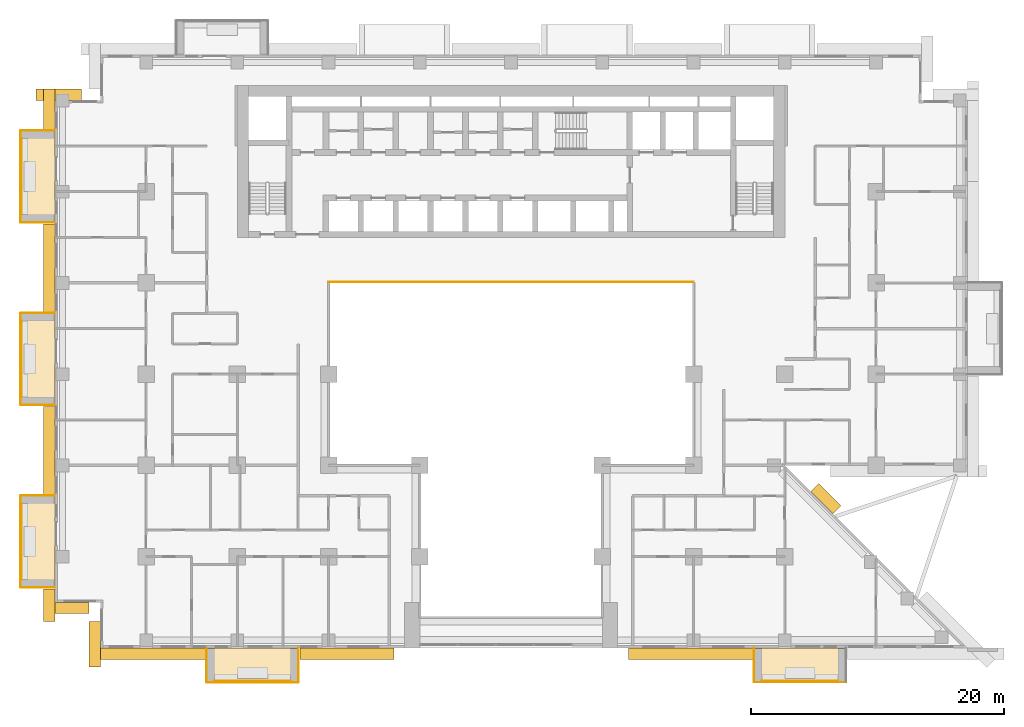
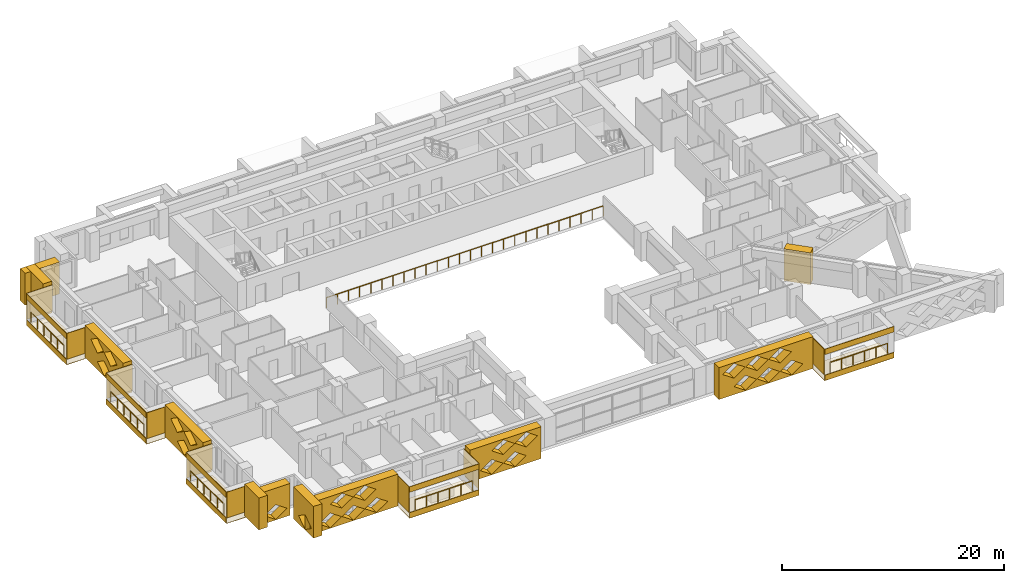
# One storey, part 14 of 17: 35 coverings, 6 railings.
"""IFC4 building model written with IfcOpenShell, lengths in metres."""

from ifc_helpers import new_model, si_unit, direction, frame, origin, origin_2d, place, context, subcontext, project, spatial, polyline, circle, outline, extrude, material, layer, layer_set, type_object, element, save


model = new_model("IFC4")

# Units and contexts
model_context = context("Model", 3, precision=1e-05, world=origin(), true_north=direction((0.0, 1.0)))
body_context = subcontext(model_context, "Body", "Model", "MODEL_VIEW")
ifc_project = project(units=[si_unit("LENGTHUNIT", "METRE"), si_unit("AREAUNIT", "SQUARE_METRE"), si_unit("VOLUMEUNIT", "CUBIC_METRE"), si_unit("PLANEANGLEUNIT", "RADIAN"), si_unit("MASSUNIT", "GRAM", prefix="KILO")], contexts=[model_context])

# Site, building, storey
site_placement = place(None, origin())
site = spatial("IfcSite", under=ifc_project, at=site_placement, CompositionType="ELEMENT")
building_placement = place(site_placement, origin())
building = spatial("IfcBuilding", under=site, at=building_placement, Name="Saffron Iwan Residences", CompositionType="ELEMENT")
storey_placement = place(building_placement, frame((0.0, 0.0, 86.5)))
storey = spatial("IfcBuildingStorey", under=building, at=storey_placement, Name="L22", CompositionType="ELEMENT", Elevation=86.5)

# Railings
ifc_material_1 = material(Name="Stainless steel 316", Category="steel")
railing_type_1 = type_object("IfcRailingType", Name="Atrium guard 1150", PredefinedType="GUARDRAIL", material=ifc_material_1)
railing_placement = place(storey_placement, frame((36.0, 62.47509765625, 0.0)))
element("IfcRailing", 1, at=railing_placement, inside=storey, type_object=railing_type_1, Name="Atrium guard L22", PredefinedType="GUARDRAIL", context=body_context, shape_type="SweptSolid", body=[
    extrude(circle(Radius=0.02392578125, at=origin_2d()), frame((0.0, 0.0, 1.1259765625), z_axis=(1.0, 0.0, 0.0), x_axis=(0.0, 1.0, 0.0)), (0.0, 0.0, 1.0), 28.800048828125),
    extrude(circle(Radius=0.02099609375, at=origin_2d()), origin(), (0.0, 0.0, 1.0), 1.101806640625),
    extrude(circle(Radius=0.02099609375, at=origin_2d()), frame((1.152099609375, 0.0, 0.0)), (0.0, 0.0, 1.0), 1.101806640625),
    extrude(circle(Radius=0.02099609375, at=origin_2d()), frame((2.303955078125, 0.0, 0.0)), (0.0, 0.0, 1.0), 1.101806640625),
    extrude(circle(Radius=0.02099609375, at=origin_2d()), frame((3.4560546875, 0.0, 0.0)), (0.0, 0.0, 1.0), 1.101806640625),
    extrude(circle(Radius=0.02099609375, at=origin_2d()), frame((4.60791015625, 0.0, 0.0)), (0.0, 0.0, 1.0), 1.101806640625),
    extrude(circle(Radius=0.02099609375, at=origin_2d()), frame((5.760009765625, 0.0, 0.0)), (0.0, 0.0, 1.0), 1.101806640625),
    extrude(circle(Radius=0.02099609375, at=origin_2d()), frame((6.912109375, 0.0, 0.0)), (0.0, 0.0, 1.0), 1.101806640625),
    extrude(circle(Radius=0.02099609375, at=origin_2d()), frame((8.06396484375, 0.0, 0.0)), (0.0, 0.0, 1.0), 1.101806640625),
    extrude(circle(Radius=0.02099609375, at=origin_2d()), frame((9.216064453125, 0.0, 0.0)), (0.0, 0.0, 1.0), 1.101806640625),
    extrude(circle(Radius=0.02099609375, at=origin_2d()), frame((10.367919921875, 0.0, 0.0)), (0.0, 0.0, 1.0), 1.101806640625),
    extrude(circle(Radius=0.02099609375, at=origin_2d()), frame((11.52001953125, 0.0, 0.0)), (0.0, 0.0, 1.0), 1.101806640625),
    extrude(circle(Radius=0.02099609375, at=origin_2d()), frame((12.672119140625, 0.0, 0.0)), (0.0, 0.0, 1.0), 1.101806640625),
    extrude(circle(Radius=0.02099609375, at=origin_2d()), frame((13.823974609375, 0.0, 0.0)), (0.0, 0.0, 1.0), 1.101806640625),
    extrude(circle(Radius=0.02099609375, at=origin_2d()), frame((14.97607421875, 0.0, 0.0)), (0.0, 0.0, 1.0), 1.101806640625),
    extrude(circle(Radius=0.02099609375, at=origin_2d()), frame((16.1279296875, 0.0, 0.0)), (0.0, 0.0, 1.0), 1.101806640625),
    extrude(circle(Radius=0.02099609375, at=origin_2d()), frame((17.280029296875, 0.0, 0.0)), (0.0, 0.0, 1.0), 1.101806640625),
    extrude(circle(Radius=0.02099609375, at=origin_2d()), frame((18.43212890625, 0.0, 0.0)), (0.0, 0.0, 1.0), 1.101806640625),
    extrude(circle(Radius=0.02099609375, at=origin_2d()), frame((19.583984375, 0.0, 0.0)), (0.0, 0.0, 1.0), 1.101806640625),
    extrude(circle(Radius=0.02099609375, at=origin_2d()), frame((20.736083984375, 0.0, 0.0)), (0.0, 0.0, 1.0), 1.101806640625),
    extrude(circle(Radius=0.02099609375, at=origin_2d()), frame((21.887939453125, 0.0, 0.0)), (0.0, 0.0, 1.0), 1.101806640625),
    extrude(circle(Radius=0.02099609375, at=origin_2d()), frame((23.0400390625, 0.0, 0.0)), (0.0, 0.0, 1.0), 1.101806640625),
    extrude(circle(Radius=0.02099609375, at=origin_2d()), frame((24.192138671875, 0.0, 0.0)), (0.0, 0.0, 1.0), 1.101806640625),
    extrude(circle(Radius=0.02099609375, at=origin_2d()), frame((25.343994140625, 0.0, 0.0)), (0.0, 0.0, 1.0), 1.101806640625),
    extrude(circle(Radius=0.02099609375, at=origin_2d()), frame((26.49609375, 0.0, 0.0)), (0.0, 0.0, 1.0), 1.101806640625),
    extrude(circle(Radius=0.02099609375, at=origin_2d()), frame((27.64794921875, 0.0, 0.0)), (0.0, 0.0, 1.0), 1.101806640625),
    extrude(circle(Radius=0.02099609375, at=origin_2d()), frame((28.800048828125, 0.0, 0.0)), (0.0, 0.0, 1.0), 1.101806640625),
])
railing_type_2 = type_object("IfcRailingType", Name="BALCONY GUARD 1150", PredefinedType="GUARDRAIL", material=ifc_material_1)
for number, where, name in (
    (2, (11.77490234375, 73.800048828125, 0.0), "Balcony guard L22 F8-0"),
    (3, (11.77490234375, 59.39990234375, 0.0), "Balcony guard L22 F8-1"),
    (4, (11.77490234375, 45.0, 0.0), "Balcony guard L22 F8-2"),
):
    element("IfcRailing", number, at=place(storey_placement, frame(where)), inside=storey, type_object=railing_type_2, Name=name, PredefinedType="GUARDRAIL", context=body_context, shape_type="SweptSolid", body=[
        extrude(circle(Radius=0.02392578125, at=origin_2d()), frame((0.0, 0.0, 1.1259765625), z_axis=(0.0, -1.0, 0.0), x_axis=(1.0, 0.0, 0.0)), (0.0, 0.0, 1.0), 6.0),
        extrude(circle(Radius=0.02099609375, at=origin_2d()), origin(), (0.0, 0.0, 1.0), 1.101806640625),
        extrude(circle(Radius=0.02099609375, at=origin_2d()), frame((0.0, -1.199951171875, 0.0)), (0.0, 0.0, 1.0), 1.101806640625),
        extrude(circle(Radius=0.02099609375, at=origin_2d()), frame((0.0, -2.39990234375, 0.0)), (0.0, 0.0, 1.0), 1.101806640625),
        extrude(circle(Radius=0.02099609375, at=origin_2d()), frame((0.0, -3.60009765625, 0.0)), (0.0, 0.0, 1.0), 1.101806640625),
        extrude(circle(Radius=0.02099609375, at=origin_2d()), frame((0.0, -4.800048828125, 0.0)), (0.0, 0.0, 1.0), 1.101806640625),
        extrude(circle(Radius=0.02099609375, at=origin_2d()), frame((0.0, -6.0, 0.0)), (0.0, 0.0, 1.0), 1.101806640625),
    ])
for number, where, name in (
    (5, (27.0, 30.97509765625, 0.0), "Balcony guard L22 11-0"),
    (6, (70.199951171875, 30.97509765625, 0.0), "Balcony guard L22 11-1"),
):
    element("IfcRailing", number, at=place(storey_placement, frame(where)), inside=storey, type_object=railing_type_2, Name=name, PredefinedType="GUARDRAIL", context=body_context, shape_type="SweptSolid", body=[
        extrude(circle(Radius=0.02392578125, at=origin_2d()), frame((0.0, 0.0, 1.1259765625), z_axis=(1.0, 0.0, 0.0), x_axis=(0.0, 1.0, 0.0)), (0.0, 0.0, 1.0), 6.0),
        extrude(circle(Radius=0.02099609375, at=origin_2d()), origin(), (0.0, 0.0, 1.0), 1.101806640625),
        extrude(circle(Radius=0.02099609375, at=origin_2d()), frame((1.199951171875, 0.0, 0.0)), (0.0, 0.0, 1.0), 1.101806640625),
        extrude(circle(Radius=0.02099609375, at=origin_2d()), frame((2.39990234375, 0.0, 0.0)), (0.0, 0.0, 1.0), 1.101806640625),
        extrude(circle(Radius=0.02099609375, at=origin_2d()), frame((3.60009765625, 0.0, 0.0)), (0.0, 0.0, 1.0), 1.101806640625),
        extrude(circle(Radius=0.02099609375, at=origin_2d()), frame((4.800048828125, 0.0, 0.0)), (0.0, 0.0, 1.0), 1.101806640625),
        extrude(circle(Radius=0.02099609375, at=origin_2d()), frame((6.0, 0.0, 0.0)), (0.0, 0.0, 1.0), 1.101806640625),
    ])

# Coverings
ifc_material_2 = material(Name="Precast concrete C40/50 white painted", Category="concrete")
ifc_layer = layer(ifc_material_2, 0.050048828125)
ifc_layer_set = layer_set([ifc_layer], Name="Precast concrete C40/50 white painted")
covering_type_1 = type_object("IfcCoveringType", Name="FRAME SKIN PRECAST WHITE 50", PredefinedType="CLADDING", material=ifc_layer_set)
for number, where, name in (
    (7, (0.0, 0.0, -0.60009765625), "Frame skin slab edge L22 F8-0"),
    (8, (0.0, 0.0, 2.25), "Frame skin fascia L22 F8-0"),
):
    element("IfcCovering", number, at=place(storey_placement, frame(where)), inside=storey, type_object=covering_type_1, Name=name, PredefinedType="CLADDING", context=body_context, shape_type="SweptSolid", body=[
        extrude(outline(polyline([(11.64990234375, 74.39990234375), (11.64990234375, 67.199951171875), (11.699951171875, 67.199951171875), (11.699951171875, 74.39990234375), (11.64990234375, 74.39990234375)])), origin(), (0.0, 0.0, 1.0), 0.60009765625),
    ])
covering_1_placement = place(storey_placement, frame((0.0, 0.0, -0.64990234375)))
element("IfcCovering", 9, at=covering_1_placement, inside=storey, type_object=covering_type_1, Name="Frame skin soffit L22 F8-0", PredefinedType="CLADDING", context=body_context, shape_type="SweptSolid", body=[
    extrude(outline(polyline([(11.699951171875, 74.39990234375), (11.699951171875, 67.199951171875), (14.39990234375, 67.199951171875), (14.39990234375, 74.39990234375), (11.699951171875, 74.39990234375)])), origin(), (0.0, 0.0, 1.0), 0.0498046875),
])
covering_2_placement = place(storey_placement, origin())
element("IfcCovering", 10, at=covering_2_placement, inside=storey, type_object=covering_type_1, Name="Frame skin fin L22 F8-0a", PredefinedType="CLADDING", context=body_context, shape_type="SweptSolid", body=[
    extrude(outline(polyline([(11.699951171875, 74.449951171875), (11.699951171875, 74.39990234375), (14.39990234375, 74.39990234375), (14.39990234375, 74.449951171875), (11.699951171875, 74.449951171875)])), origin(), (0.0, 0.0, 1.0), 2.85009765625),
])
covering_3_placement = place(storey_placement, origin())
element("IfcCovering", 11, at=covering_3_placement, inside=storey, type_object=covering_type_1, Name="Frame skin fin L22 F8-0b", PredefinedType="CLADDING", context=body_context, shape_type="SweptSolid", body=[
    extrude(outline(polyline([(11.699951171875, 67.199951171875), (11.699951171875, 67.14990234375), (14.39990234375, 67.14990234375), (14.39990234375, 67.199951171875), (11.699951171875, 67.199951171875)])), origin(), (0.0, 0.0, 1.0), 2.85009765625),
])
for number, where, name in (
    (12, (0.0, 0.0, -0.60009765625), "Frame skin slab edge L22 F8-1"),
    (13, (0.0, 0.0, 2.25), "Frame skin fascia L22 F8-1"),
):
    element("IfcCovering", number, at=place(storey_placement, frame(where)), inside=storey, type_object=covering_type_1, Name=name, PredefinedType="CLADDING", context=body_context, shape_type="SweptSolid", body=[
        extrude(outline(polyline([(11.64990234375, 60.0), (11.64990234375, 52.800048828125), (11.699951171875, 52.800048828125), (11.699951171875, 60.0), (11.64990234375, 60.0)])), origin(), (0.0, 0.0, 1.0), 0.60009765625),
    ])
covering_4_placement = place(storey_placement, frame((0.0, 0.0, -0.64990234375)))
element("IfcCovering", 14, at=covering_4_placement, inside=storey, type_object=covering_type_1, Name="Frame skin soffit L22 F8-1", PredefinedType="CLADDING", context=body_context, shape_type="SweptSolid", body=[
    extrude(outline(polyline([(11.699951171875, 60.0), (11.699951171875, 52.800048828125), (14.39990234375, 52.800048828125), (14.39990234375, 60.0), (11.699951171875, 60.0)])), origin(), (0.0, 0.0, 1.0), 0.0498046875),
])
covering_5_placement = place(storey_placement, origin())
element("IfcCovering", 15, at=covering_5_placement, inside=storey, type_object=covering_type_1, Name="Frame skin fin L22 F8-1a", PredefinedType="CLADDING", context=body_context, shape_type="SweptSolid", body=[
    extrude(outline(polyline([(11.699951171875, 60.050048828125), (11.699951171875, 60.0), (14.39990234375, 60.0), (14.39990234375, 60.050048828125), (11.699951171875, 60.050048828125)])), origin(), (0.0, 0.0, 1.0), 2.85009765625),
])
covering_6_placement = place(storey_placement, origin())
element("IfcCovering", 16, at=covering_6_placement, inside=storey, type_object=covering_type_1, Name="Frame skin fin L22 F8-1b", PredefinedType="CLADDING", context=body_context, shape_type="SweptSolid", body=[
    extrude(outline(polyline([(11.699951171875, 52.800048828125), (11.699951171875, 52.75), (14.39990234375, 52.75), (14.39990234375, 52.800048828125), (11.699951171875, 52.800048828125)])), origin(), (0.0, 0.0, 1.0), 2.85009765625),
])
for number, where, name in (
    (17, (0.0, 0.0, -0.60009765625), "Frame skin slab edge L22 F8-2"),
    (18, (0.0, 0.0, 2.25), "Frame skin fascia L22 F8-2"),
):
    element("IfcCovering", number, at=place(storey_placement, frame(where)), inside=storey, type_object=covering_type_1, Name=name, PredefinedType="CLADDING", context=body_context, shape_type="SweptSolid", body=[
        extrude(outline(polyline([(11.64990234375, 45.60009765625), (11.64990234375, 38.39990234375), (11.699951171875, 38.39990234375), (11.699951171875, 45.60009765625), (11.64990234375, 45.60009765625)])), origin(), (0.0, 0.0, 1.0), 0.60009765625),
    ])
covering_7_placement = place(storey_placement, frame((0.0, 0.0, -0.64990234375)))
element("IfcCovering", 19, at=covering_7_placement, inside=storey, type_object=covering_type_1, Name="Frame skin soffit L22 F8-2", PredefinedType="CLADDING", context=body_context, shape_type="SweptSolid", body=[
    extrude(outline(polyline([(11.699951171875, 45.60009765625), (11.699951171875, 38.39990234375), (14.39990234375, 38.39990234375), (14.39990234375, 45.60009765625), (11.699951171875, 45.60009765625)])), origin(), (0.0, 0.0, 1.0), 0.0498046875),
])
covering_8_placement = place(storey_placement, origin())
element("IfcCovering", 20, at=covering_8_placement, inside=storey, type_object=covering_type_1, Name="Frame skin fin L22 F8-2a", PredefinedType="CLADDING", context=body_context, shape_type="SweptSolid", body=[
    extrude(outline(polyline([(11.699951171875, 45.64990234375), (11.699951171875, 45.60009765625), (14.39990234375, 45.60009765625), (14.39990234375, 45.64990234375), (11.699951171875, 45.64990234375)])), origin(), (0.0, 0.0, 1.0), 2.85009765625),
])
covering_9_placement = place(storey_placement, origin())
element("IfcCovering", 21, at=covering_9_placement, inside=storey, type_object=covering_type_1, Name="Frame skin fin L22 F8-2b", PredefinedType="CLADDING", context=body_context, shape_type="SweptSolid", body=[
    extrude(outline(polyline([(11.699951171875, 38.39990234375), (11.699951171875, 38.35009765625), (14.39990234375, 38.35009765625), (14.39990234375, 38.39990234375), (11.699951171875, 38.39990234375)])), origin(), (0.0, 0.0, 1.0), 2.85009765625),
])
for number, where, name in (
    (22, (0.0, 0.0, -0.60009765625), "Frame skin slab edge L22 11-0"),
    (23, (0.0, 0.0, 2.25), "Frame skin fascia L22 11-0"),
):
    element("IfcCovering", number, at=place(storey_placement, frame(where)), inside=storey, type_object=covering_type_1, Name=name, PredefinedType="CLADDING", context=body_context, shape_type="SweptSolid", body=[
        extrude(outline(polyline([(26.39990234375, 30.85009765625), (33.60009765625, 30.85009765625), (33.60009765625, 30.89990234375), (26.39990234375, 30.89990234375), (26.39990234375, 30.85009765625)])), origin(), (0.0, 0.0, 1.0), 0.60009765625),
    ])
covering_10_placement = place(storey_placement, frame((0.0, 0.0, -0.64990234375)))
element("IfcCovering", 24, at=covering_10_placement, inside=storey, type_object=covering_type_1, Name="Frame skin soffit L22 11-0", PredefinedType="CLADDING", context=body_context, shape_type="SweptSolid", body=[
    extrude(outline(polyline([(26.39990234375, 30.89990234375), (33.60009765625, 30.89990234375), (33.60009765625, 33.60009765625), (26.39990234375, 33.60009765625), (26.39990234375, 30.89990234375)])), origin(), (0.0, 0.0, 1.0), 0.0498046875),
])
covering_11_placement = place(storey_placement, origin())
element("IfcCovering", 25, at=covering_11_placement, inside=storey, type_object=covering_type_1, Name="Frame skin fin L22 11-0a", PredefinedType="CLADDING", context=body_context, shape_type="SweptSolid", body=[
    extrude(outline(polyline([(26.35009765625, 30.89990234375), (26.39990234375, 30.89990234375), (26.39990234375, 33.60009765625), (26.35009765625, 33.60009765625), (26.35009765625, 30.89990234375)])), origin(), (0.0, 0.0, 1.0), 2.85009765625),
])
covering_12_placement = place(storey_placement, origin())
element("IfcCovering", 26, at=covering_12_placement, inside=storey, type_object=covering_type_1, Name="Frame skin fin L22 11-0b", PredefinedType="CLADDING", context=body_context, shape_type="SweptSolid", body=[
    extrude(outline(polyline([(33.60009765625, 30.89990234375), (33.64990234375, 30.89990234375), (33.64990234375, 33.60009765625), (33.60009765625, 33.60009765625), (33.60009765625, 30.89990234375)])), origin(), (0.0, 0.0, 1.0), 2.85009765625),
])
for number, where, name in (
    (27, (0.0, 0.0, -0.60009765625), "Frame skin slab edge L22 11-1"),
    (28, (0.0, 0.0, 2.25), "Frame skin fascia L22 11-1"),
):
    element("IfcCovering", number, at=place(storey_placement, frame(where)), inside=storey, type_object=covering_type_1, Name=name, PredefinedType="CLADDING", context=body_context, shape_type="SweptSolid", body=[
        extrude(outline(polyline([(69.60009765625, 30.85009765625), (76.800048828125, 30.85009765625), (76.800048828125, 30.89990234375), (69.60009765625, 30.89990234375), (69.60009765625, 30.85009765625)])), origin(), (0.0, 0.0, 1.0), 0.60009765625),
    ])
covering_13_placement = place(storey_placement, frame((0.0, 0.0, -0.64990234375)))
element("IfcCovering", 29, at=covering_13_placement, inside=storey, type_object=covering_type_1, Name="Frame skin soffit L22 11-1", PredefinedType="CLADDING", context=body_context, shape_type="SweptSolid", body=[
    extrude(outline(polyline([(69.60009765625, 30.89990234375), (76.800048828125, 30.89990234375), (76.800048828125, 33.60009765625), (69.60009765625, 33.60009765625), (69.60009765625, 30.89990234375)])), origin(), (0.0, 0.0, 1.0), 0.0498046875),
])
covering_14_placement = place(storey_placement, origin())
element("IfcCovering", 30, at=covering_14_placement, inside=storey, type_object=covering_type_1, Name="Frame skin fin L22 11-1a", PredefinedType="CLADDING", context=body_context, shape_type="SweptSolid", body=[
    extrude(outline(polyline([(69.550048828125, 30.89990234375), (69.60009765625, 30.89990234375), (69.60009765625, 33.60009765625), (69.550048828125, 33.60009765625), (69.550048828125, 30.89990234375)])), origin(), (0.0, 0.0, 1.0), 2.85009765625),
])
ifc_material_3 = material(Name="Precast concrete C40/50", Category="concrete")
covering_type_2 = type_object("IfcCoveringType", Name="OUTER SKIN LATTICE SCREEN", PredefinedType="CLADDING", material=ifc_material_3)
covering_15_placement = place(storey_placement, frame((75.805908203125, 44.194091796875, -0.320068359375), z_axis=(0.707106781187, 0.707106781187, 0.0), x_axis=(-0.707106781187, 0.707106781187, 0.0)))
element("IfcCovering", 31, at=covering_15_placement, inside=storey, type_object=covering_type_2, Name="OUTER SKIN lattice screen L22 F0.1", PredefinedType="CLADDING", context=body_context, shape_type="SweptSolid", body=[
    extrude(outline(polyline([(0.0, 0.0), (2.4853515625, 0.0), (2.4853515625, 3.5), (0.0, 3.5), (0.0, 0.0)])), origin(), (0.0, 0.0, 1.0), 0.900146484375),
])
covering_16_placement = place(storey_placement, frame((16.5, 76.800048828125, -0.320068359375), z_axis=(0.0, 1.0, 0.0), x_axis=(-1.0, 0.0, 0.0)))
element("IfcCovering", 32, at=covering_16_placement, inside=storey, type_object=covering_type_2, Name="OUTER SKIN lattice screen L22 F7.0", PredefinedType="CLADDING", context=body_context, shape_type="SweptSolid", body=[
    extrude(outline(polyline([(0.0, 0.0), (3.60009765625, 0.0), (3.60009765625, 3.5), (0.0, 3.5), (0.0, 0.0)]), holes=[polyline([(0.919921875, 0.875), (2.10009765625, 0.06005859375), (3.280029296875, 0.875), (2.10009765625, 1.68994140625), (0.919921875, 0.875)])]), origin(), (0.0, 0.0, 1.0), 0.89990234375),
])
covering_17_placement = place(storey_placement, frame((14.39990234375, 77.699951171875, -0.320068359375), z_axis=(-1.0, 0.0, 0.0), x_axis=(0.0, -1.0, 0.0)))
element("IfcCovering", 33, at=covering_17_placement, inside=storey, type_object=covering_type_2, Name="OUTER SKIN lattice screen L22 F8.0", PredefinedType="CLADDING", context=body_context, shape_type="SweptSolid", body=[
    extrude(outline(polyline([(0.0, 0.0), (3.14990234375, 0.0), (3.14990234375, 3.5), (0.0, 3.5), (0.0, 0.0)])), origin(), (0.0, 0.0, 1.0), 0.89990234375),
])
for number, where, z_axis, x_axis, name in (
    (34, (14.39990234375, 67.050048828125, -0.320068359375), (-1.0, 0.0, 0.0), (0.0, -1.0, 0.0), "OUTER SKIN lattice screen L22 F8.1"),
    (35, (14.39990234375, 52.64990234375, -0.320068359375), (-1.0, 0.0, 0.0), (0.0, -1.0, 0.0), "OUTER SKIN lattice screen L22 F8.2"),
):
    element("IfcCovering", number, at=place(storey_placement, frame(where, z_axis=z_axis, x_axis=x_axis)), inside=storey, type_object=covering_type_2, Name=name, PredefinedType="CLADDING", context=body_context, shape_type="SweptSolid", body=[
        extrude(outline(polyline([(0.0, 0.0), (6.89990234375, 0.0), (6.89990234375, 3.5), (0.0, 3.5), (0.0, 0.0)]), holes=[polyline([(2.27001953125, 0.875), (3.449951171875, 0.06005859375), (4.6298828125, 0.875), (3.449951171875, 1.68994140625), (2.27001953125, 0.875)]), polyline([(1.070068359375, 2.625), (2.25, 1.81005859375), (3.429931640625, 2.625), (2.25, 3.43994140625), (1.070068359375, 2.625)]), polyline([(3.469970703125, 2.625), (4.64990234375, 1.81005859375), (5.830078125, 2.625), (4.64990234375, 3.43994140625), (3.469970703125, 2.625)])]), origin(), (0.0, 0.0, 1.0), 0.89990234375),
    ])
covering_18_placement = place(storey_placement, frame((14.39990234375, 38.25, -0.320068359375), z_axis=(-1.0, 0.0, 0.0), x_axis=(0.0, -1.0, 0.0)))
element("IfcCovering", 36, at=covering_18_placement, inside=storey, type_object=covering_type_2, Name="OUTER SKIN lattice screen L22 F8.3", PredefinedType="CLADDING", context=body_context, shape_type="SweptSolid", body=[
    extrude(outline(polyline([(0.0, 0.0), (2.550048828125, 0.0), (2.550048828125, 3.5), (0.0, 3.5), (0.0, 0.0)])), origin(), (0.0, 0.0, 1.0), 0.89990234375),
])
for number, where, z_axis, x_axis, name in (
    (37, (13.5, 37.199951171875, -0.320068359375), (0.0, -1.0, 0.0), (1.0, 0.0, 0.0), "OUTER SKIN lattice screen L22 F9.0"),
    (38, (18.0, 35.699951171875, -0.320068359375), (-1.0, 0.0, 0.0), (0.0, -1.0, 0.0), "OUTER SKIN lattice screen L22 F10.0"),
):
    element("IfcCovering", number, at=place(storey_placement, frame(where, z_axis=z_axis, x_axis=x_axis)), inside=storey, type_object=covering_type_2, Name=name, PredefinedType="CLADDING", context=body_context, shape_type="SweptSolid", body=[
        extrude(outline(polyline([(0.0, 0.0), (3.60009765625, 0.0), (3.60009765625, 3.5), (0.0, 3.5), (0.0, 0.0)]), holes=[polyline([(0.919921875, 0.875), (2.10009765625, 0.06005859375), (3.280029296875, 0.875), (2.10009765625, 1.68994140625), (0.919921875, 0.875)])]), origin(), (0.0, 0.0, 1.0), 0.89990234375),
    ])
covering_19_placement = place(storey_placement, frame((17.10009765625, 33.60009765625, -0.320068359375), z_axis=(0.0, -1.0, 0.0), x_axis=(1.0, 0.0, 0.0)))
element("IfcCovering", 39, at=covering_19_placement, inside=storey, type_object=covering_type_2, Name="OUTER SKIN lattice screen L22 F11.0", PredefinedType="CLADDING", context=body_context, shape_type="SweptSolid", body=[
    extrude(outline(polyline([(0.0, 0.0), (9.14990234375, 0.0), (9.14990234375, 3.5), (0.0, 3.5), (0.0, 0.0)]), holes=[polyline([(0.919921875, 0.875), (2.10009765625, 0.06005859375), (3.280029296875, 0.875), (2.10009765625, 1.68994140625), (0.919921875, 0.875)]), polyline([(3.320068359375, 0.875), (4.5, 0.06005859375), (5.679931640625, 0.875), (4.5, 1.68994140625), (3.320068359375, 0.875)]), polyline([(5.719970703125, 0.875), (6.89990234375, 0.06005859375), (8.080078125, 0.875), (6.89990234375, 1.68994140625), (5.719970703125, 0.875)]), polyline([(2.1201171875, 2.625), (3.300048828125, 1.81005859375), (4.47998046875, 2.625), (3.300048828125, 3.43994140625), (2.1201171875, 2.625)]), polyline([(4.52001953125, 2.625), (5.699951171875, 1.81005859375), (6.8798828125, 2.625), (5.699951171875, 3.43994140625), (4.52001953125, 2.625)])]), origin(), (0.0, 0.0, 1.0), 0.900146484375),
])
covering_20_placement = place(storey_placement, frame((33.75, 33.60009765625, -0.320068359375), z_axis=(0.0, -1.0, 0.0), x_axis=(1.0, 0.0, 0.0)))
element("IfcCovering", 40, at=covering_20_placement, inside=storey, type_object=covering_type_2, Name="OUTER SKIN lattice screen L22 F11.1", PredefinedType="CLADDING", context=body_context, shape_type="SweptSolid", body=[
    extrude(outline(polyline([(0.0, 0.0), (7.39990234375, 0.0), (7.39990234375, 3.5), (0.0, 3.5), (0.0, 0.0)]), holes=[polyline([(1.070068359375, 0.875), (2.25, 0.06005859375), (3.429931640625, 0.875), (2.25, 1.68994140625), (1.070068359375, 0.875)]), polyline([(3.469970703125, 0.875), (4.64990234375, 0.06005859375), (5.830078125, 0.875), (4.64990234375, 1.68994140625), (3.469970703125, 0.875)]), polyline([(2.27001953125, 2.625), (3.449951171875, 1.81005859375), (4.6298828125, 2.625), (3.449951171875, 3.43994140625), (2.27001953125, 2.625)]), polyline([(4.669921875, 2.625), (5.85009765625, 1.81005859375), (7.030029296875, 2.625), (5.85009765625, 3.43994140625), (4.669921875, 2.625)])]), origin(), (0.0, 0.0, 1.0), 0.900146484375),
])
covering_21_placement = place(storey_placement, frame((59.64990234375, 33.60009765625, -0.320068359375), z_axis=(0.0, -1.0, 0.0), x_axis=(1.0, 0.0, 0.0)))
element("IfcCovering", 41, at=covering_21_placement, inside=storey, type_object=covering_type_2, Name="OUTER SKIN lattice screen L22 F11.2", PredefinedType="CLADDING", context=body_context, shape_type="SweptSolid", body=[
    extrude(outline(polyline([(0.0, 0.0), (9.800048828125, 0.0), (9.800048828125, 3.5), (0.0, 3.5), (0.0, 0.0)]), holes=[polyline([(1.570068359375, 0.875), (2.75, 0.06005859375), (3.929931640625, 0.875), (2.75, 1.68994140625), (1.570068359375, 0.875)]), polyline([(3.969970703125, 0.875), (5.14990234375, 0.06005859375), (6.330078125, 0.875), (5.14990234375, 1.68994140625), (3.969970703125, 0.875)]), polyline([(6.3701171875, 0.875), (7.550048828125, 0.06005859375), (8.72998046875, 0.875), (7.550048828125, 1.68994140625), (6.3701171875, 0.875)]), polyline([(0.3701171875, 2.625), (1.550048828125, 1.81005859375), (2.72998046875, 2.625), (1.550048828125, 3.43994140625), (0.3701171875, 2.625)]), polyline([(2.77001953125, 2.625), (3.949951171875, 1.81005859375), (5.1298828125, 2.625), (3.949951171875, 3.43994140625), (2.77001953125, 2.625)]), polyline([(5.169921875, 2.625), (6.35009765625, 1.81005859375), (7.530029296875, 2.625), (6.35009765625, 3.43994140625), (5.169921875, 2.625)])]), origin(), (0.0, 0.0, 1.0), 0.900146484375),
])

save(model, "model.ifc")
